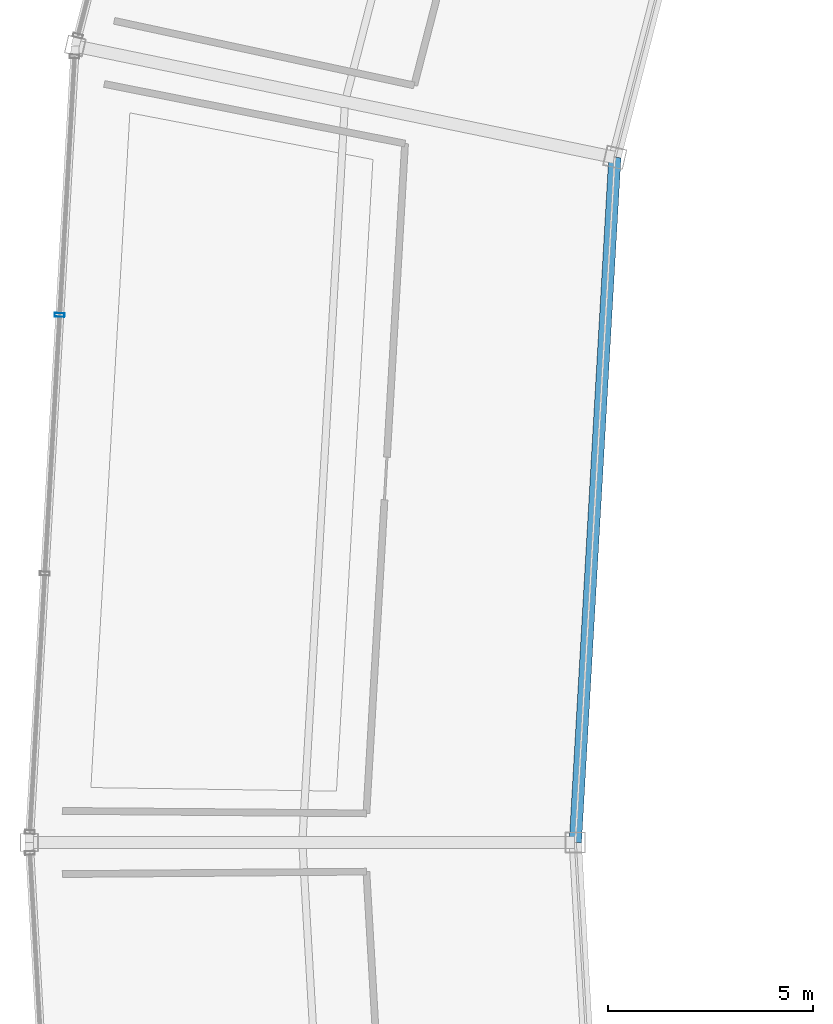
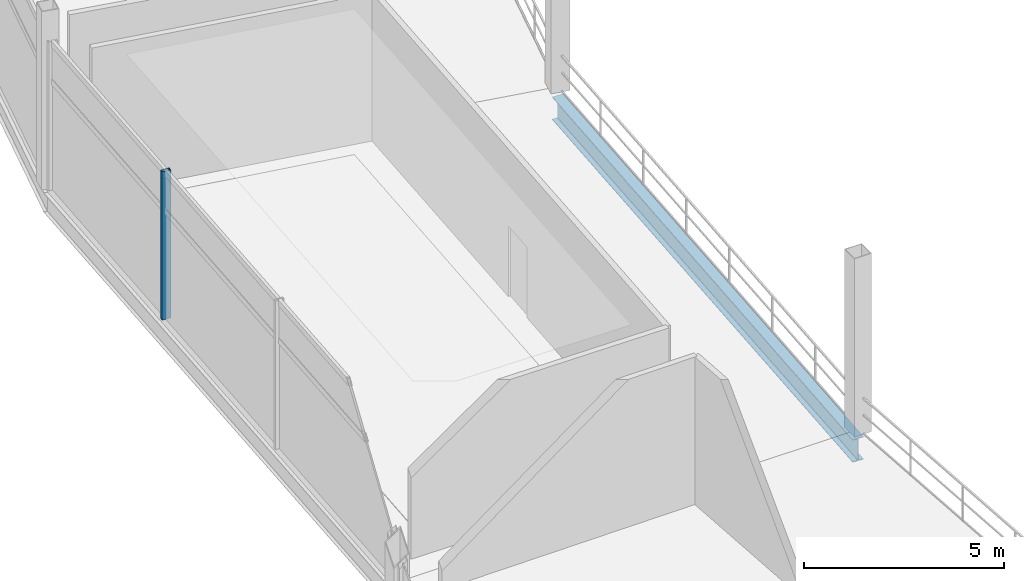
# One storey, part 38 of 103: 1 beam, 1 member, 1 element without a shape of its own.
"""IFC4 building model written with IfcOpenShell, lengths in metres."""

from ifc_helpers import new_model, si_unit, direction, frame, origin, origin_2d, place, context, subcontext, project, spatial, hollow_rectangle, i_section, extrude, material, layer, layer_set, material_profile, profile_set, type_object, element, aggregate, save


model = new_model("IFC4")

# Units and contexts
model_context = context("Model", 3, precision=1e-05, world=origin(), true_north=direction((0.0, 1.0)))
body_context = subcontext(model_context, "Body", "Model", "MODEL_VIEW")
ifc_project = project(units=[si_unit("LENGTHUNIT", "METRE"), si_unit("AREAUNIT", "SQUARE_METRE"), si_unit("VOLUMEUNIT", "CUBIC_METRE"), si_unit("PLANEANGLEUNIT", "RADIAN"), si_unit("MASSUNIT", "GRAM", prefix="KILO")], contexts=[model_context])

# Site, building, storey
site_placement = place(None, origin())
site = spatial("IfcSite", under=ifc_project, at=site_placement, CompositionType="ELEMENT")
building_placement = place(site_placement, origin())
building = spatial("IfcBuilding", under=site, at=building_placement, Name="Kazemori Nagisa Stadium", CompositionType="ELEMENT")
storey_placement = place(building_placement, frame((0.0, 0.0, 25.840087890625)))
storey = spatial("IfcBuildingStorey", under=building, at=storey_placement, Name="L05", CompositionType="ELEMENT", Elevation=25.840087890625)

# Beam
ifc_material_1 = material(Name="Steel SN490B", Category="steel")
ifc_material_profile_1 = material_profile(ifc_material_1, i_section(OverallWidth=0.300048828125, OverallDepth=0.699951171875, WebThickness=0.012939453125, FlangeThickness=0.02392578125, FilletRadius=0.01806640625, at=origin_2d()), Name="H-700x300x13x24")
ifc_profile_set_1 = profile_set([ifc_material_profile_1], Name="Steel SN490B")
beam_type = type_object("IfcBeamType", Name="Beam_BG-H700", PredefinedType="BEAM", material=ifc_profile_set_1)
beam_placement = place(storey_placement, frame((42.262451171875, 118.68212890625, -0.610107421875), z_axis=(-0.057594854854, -0.998340038611, 0.0), x_axis=(0.998340038611, -0.057594854854, 0.0)))
element("IfcBeam", 1, at=beam_placement, inside=storey, type_object=beam_type, Name="Ring girder BG-H700 L05 R2-14", PredefinedType="BEAM", context=body_context, shape_type="SweptSolid", body=[
    extrude(i_section(OverallWidth=0.300048828125, OverallDepth=0.699951171875, WebThickness=0.012939453125, FlangeThickness=0.02392578125, FilletRadius=0.01806640625, at=origin_2d()), origin(), (0.0, 0.0, 1.0), 16.7099609375),
])

# Curtain wall, member
ifc_material_2 = material(Name="Anodised aluminium 6063-T5", Category="aluminium")
ifc_layer = layer(ifc_material_2, 0.239990234375, Name="Anodised aluminium 6063-T5", Category="aluminium")
ifc_layer_set = layer_set([ifc_layer], Name="Anodised aluminium 6063-T5")
curtain_wall_type = type_object("IfcCurtainWallType", Name="CW_L05R3_95", PredefinedType="USERDEFINED", material=ifc_layer_set)
curtain_wall_placement = place(storey_placement, origin())
curtain_wall = element("IfcCurtainWall", 2, at=curtain_wall_placement, inside=storey, type_object=curtain_wall_type, Name="Unitised curtain wall CW-L05R3-95 L05", ObjectType="UNITISED CURTAIN WALL", PredefinedType="USERDEFINED")
ifc_material_3 = material(Name="Aluminium 6063-T5 anodised", Category="aluminium")
ifc_material_profile_2 = material_profile(ifc_material_3, hollow_rectangle(XDim=0.090087890625, YDim=0.239990234375, WallThickness=0.0048828125, at=origin_2d()), Name="ALU-MULL-90x240x5")
ifc_profile_set_2 = profile_set([ifc_material_profile_2], Name="Aluminium 6063-T5 anodised")
member_type = type_object("IfcMemberType", Name="Mullion_M03", PredefinedType="MULLION", material=ifc_profile_set_2)
member_placement = place(storey_placement, frame((28.7412109375, 114.846923828125, 0.0), z_axis=(0.0, 0.0, 1.0), x_axis=(-0.057601670941, -0.998339645364, 0.0)))
member = element("IfcMember", 3, at=member_placement, type_object=member_type, Name="Curtain wall mullion CW-L05R3-95-M2", PredefinedType="MULLION", context=body_context, shape_type="SweptSolid", body=[
    extrude(hollow_rectangle(XDim=0.090087890625, YDim=0.239990234375, WallThickness=0.0048828125, at=origin_2d()), origin(), (0.0, 0.0, 1.0), 4.530029296875),
])
aggregate(curtain_wall, [member])

save(model, "model.ifc")
